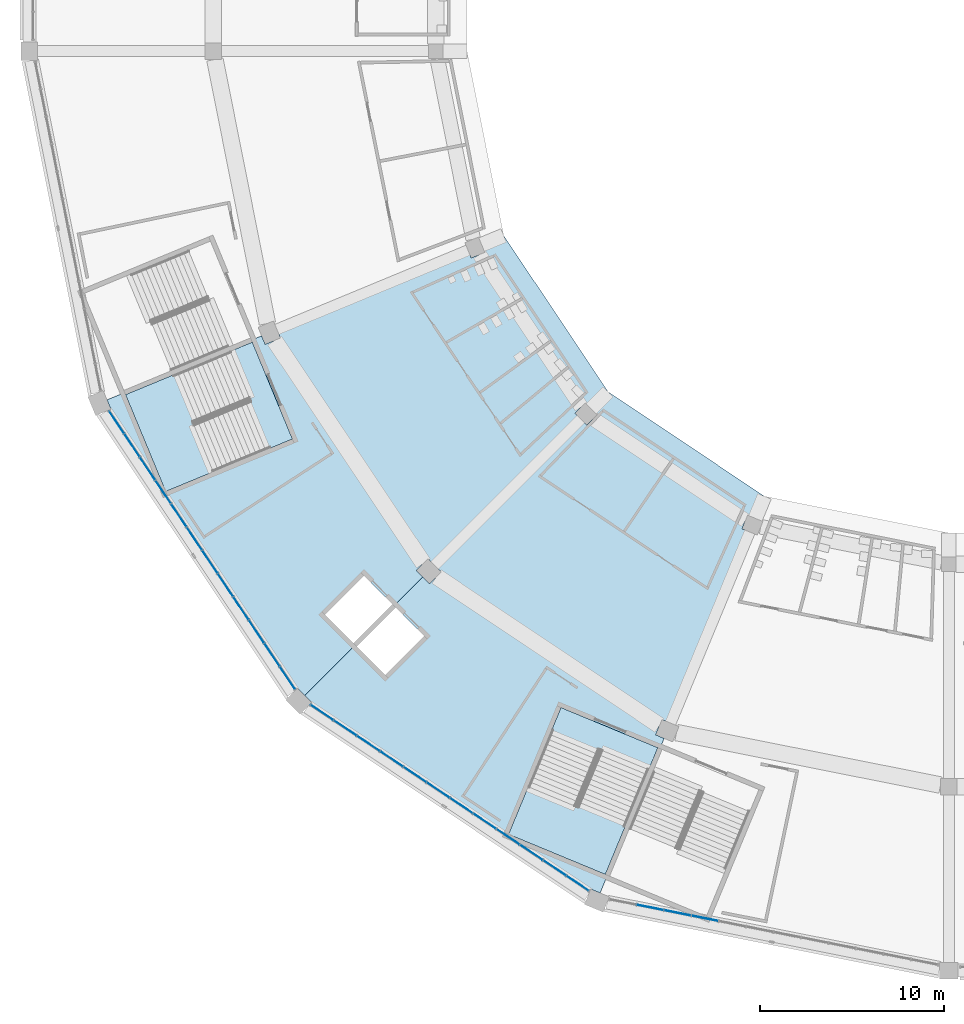
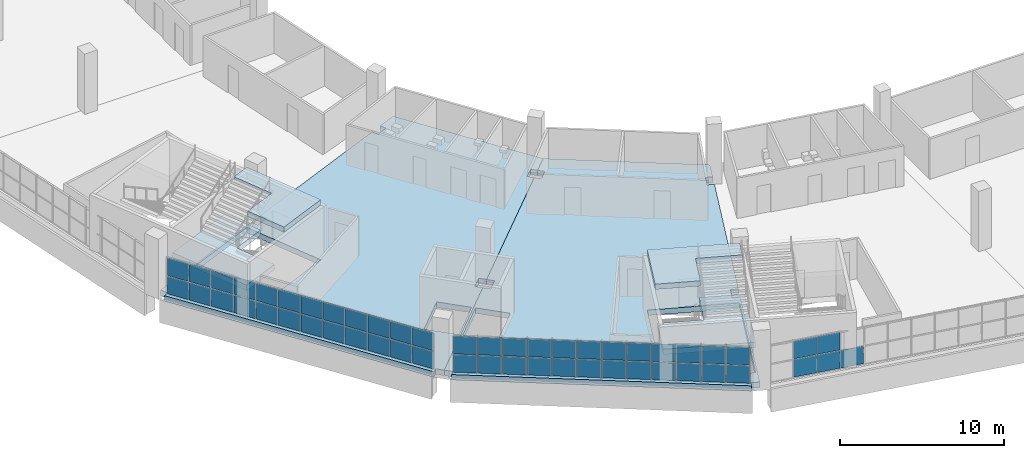
# One storey, part 56 of 199: 53 plates, 6 slabs, 5 elements without a shape of their own.
"""IFC4 building model written with IfcOpenShell, lengths in metres."""

from ifc_helpers import new_model, si_unit, direction, frame, origin, origin_2d, place, context, subcontext, project, spatial, polyline, rectangle, outline, extrude, material, layer, layer_set, type_object, element, aggregate, save


model = new_model("IFC4")

# Units and contexts
model_context = context("Model", 3, precision=1e-05, world=origin(), true_north=direction((0.0, 1.0)))
body_context = subcontext(model_context, "Body", "Model", "MODEL_VIEW")
ifc_project = project(units=[si_unit("LENGTHUNIT", "METRE"), si_unit("AREAUNIT", "SQUARE_METRE"), si_unit("VOLUMEUNIT", "CUBIC_METRE"), si_unit("PLANEANGLEUNIT", "RADIAN"), si_unit("MASSUNIT", "GRAM", prefix="KILO")], contexts=[model_context])

# Site, building, storey
site_placement = place(None, origin())
site = spatial("IfcSite", under=ifc_project, at=site_placement, CompositionType="ELEMENT")
building_placement = place(site_placement, origin())
building = spatial("IfcBuilding", under=site, at=building_placement, Name="Ogive Plaza Stadium", CompositionType="ELEMENT")
storey_placement = place(building_placement, frame((0.0, 0.0, 4.5)))
storey = spatial("IfcBuildingStorey", under=building, at=storey_placement, Name="L01", CompositionType="ELEMENT", Elevation=4.5)

# Curtain wall, plates
ifc_material_1 = material(Name="Bronze-anodised aluminium with laminated glass", Category="aluminium")
curtain_wall_type = type_object("IfcCurtainWallType", Name="Lancet curtain wall", PredefinedType="NOTDEFINED", material=ifc_material_1)
curtain_wall_1_placement = place(storey_placement, origin())
curtain_wall_1 = element("IfcCurtainWall", 1, at=curtain_wall_1_placement, inside=storey, type_object=curtain_wall_type, Name="CURTAIN WALL B17 L01", PredefinedType="NOTDEFINED")
ifc_material_2 = material(Name="Laminated glass", Category="glass")
ifc_layer_1 = layer(ifc_material_2, 0.028076171875)
ifc_layer_set_1 = layer_set([ifc_layer_1], Name="Laminated glass panel 28")
plate_type = type_object("IfcPlateType", Name="Laminated glass panel 28", PredefinedType="CURTAIN_PANEL", material=ifc_layer_set_1)
plate_1_placement = place(storey_placement, frame((-47.2607421875, -99.658447265625, 0.0498046875), z_axis=(0.0, 0.0, 1.0), x_axis=(-0.9807852804, 0.195090322033, 0.0)))
plate_1 = element("IfcPlate", 2, at=plate_1_placement, type_object=plate_type, Name="CW-B17-L01 panel 9.1", PredefinedType="CURTAIN_PANEL", context=body_context, shape_type="SweptSolid", body=[
    extrude(rectangle(XDim=1.472412109375, YDim=0.028076171875, at=origin_2d()), origin(), (0.0, 0.0, 1.0), 1.320068359375),
])
plate_2_placement = place(storey_placement, frame((-48.75390625, -99.361328125, 0.0498046875), z_axis=(0.0, 0.0, 1.0), x_axis=(-0.9807852804, 0.195090322033, 0.0)))
plate_2 = element("IfcPlate", 3, at=plate_2_placement, type_object=plate_type, Name="CW-B17-L01 panel 10.1", PredefinedType="CURTAIN_PANEL", context=body_context, shape_type="SweptSolid", body=[
    extrude(rectangle(XDim=1.472412109375, YDim=0.028076171875, at=origin_2d()), origin(), (0.0, 0.0, 1.0), 1.320068359375),
])
plate_3_placement = place(storey_placement, frame((-48.75390625, -99.361328125, 1.419921875), z_axis=(0.0, 0.0, 1.0), x_axis=(-0.9807852804, 0.195090322033, 0.0)))
plate_3 = element("IfcPlate", 4, at=plate_3_placement, type_object=plate_type, Name="CW-B17-L01 panel 10.2", PredefinedType="CURTAIN_PANEL", context=body_context, shape_type="SweptSolid", body=[
    extrude(rectangle(XDim=1.472412109375, YDim=0.028076171875, at=origin_2d()), origin(), (0.0, 0.0, 1.0), 1.320068359375),
])
plate_4_placement = place(storey_placement, frame((-50.2470703125, -99.064453125, 0.0498046875), z_axis=(0.0, 0.0, 1.0), x_axis=(-0.9807852804, 0.195090322033, 0.0)))
plate_4 = element("IfcPlate", 5, at=plate_4_placement, type_object=plate_type, Name="CW-B17-L01 panel 11.1", PredefinedType="CURTAIN_PANEL", context=body_context, shape_type="SweptSolid", body=[
    extrude(rectangle(XDim=1.472412109375, YDim=0.028076171875, at=origin_2d()), origin(), (0.0, 0.0, 1.0), 1.320068359375),
])
plate_5_placement = place(storey_placement, frame((-50.2470703125, -99.064453125, 1.419921875), z_axis=(0.0, 0.0, 1.0), x_axis=(-0.9807852804, 0.195090322033, 0.0)))
plate_5 = element("IfcPlate", 6, at=plate_5_placement, type_object=plate_type, Name="CW-B17-L01 panel 11.2", PredefinedType="CURTAIN_PANEL", context=body_context, shape_type="SweptSolid", body=[
    extrude(rectangle(XDim=1.472412109375, YDim=0.028076171875, at=origin_2d()), origin(), (0.0, 0.0, 1.0), 1.320068359375),
])
aggregate(curtain_wall_1, [plate_1, plate_2, plate_3, plate_4, plate_5])

curtain_wall_2_placement = place(storey_placement, origin())
curtain_wall_2 = element("IfcCurtainWall", 7, at=curtain_wall_2_placement, inside=storey, type_object=curtain_wall_type, Name="CURTAIN WALL B18 L01", PredefinedType="NOTDEFINED")
plate_6_placement = place(storey_placement, frame((-54.18212890625, -97.753173828125, 0.0498046875), z_axis=(0.0, 0.0, 1.0), x_axis=(-0.831469612303, 0.55557023302, 0.0)))
plate_6 = element("IfcPlate", 8, at=plate_6_placement, type_object=plate_type, Name="CW-B18-L01 panel 1.1", PredefinedType="CURTAIN_PANEL", context=body_context, shape_type="SweptSolid", body=[
    extrude(rectangle(XDim=1.447265625, YDim=0.028076171875, at=origin_2d()), origin(), (0.0, 0.0, 1.0), 1.320068359375),
])
plate_7_placement = place(storey_placement, frame((-54.18212890625, -97.753173828125, 1.419921875), z_axis=(0.0, 0.0, 1.0), x_axis=(-0.831469612303, 0.55557023302, 0.0)))
plate_7 = element("IfcPlate", 9, at=plate_7_placement, type_object=plate_type, Name="CW-B18-L01 panel 1.2", PredefinedType="CURTAIN_PANEL", context=body_context, shape_type="SweptSolid", body=[
    extrude(rectangle(XDim=1.447265625, YDim=0.028076171875, at=origin_2d()), origin(), (0.0, 0.0, 1.0), 1.320068359375),
])
plate_8_placement = place(storey_placement, frame((-55.4375, -96.914306640625, 0.0498046875), z_axis=(0.0, 0.0, 1.0), x_axis=(-0.831469612303, 0.55557023302, 0.0)))
plate_8 = element("IfcPlate", 10, at=plate_8_placement, type_object=plate_type, Name="CW-B18-L01 panel 2.1", PredefinedType="CURTAIN_PANEL", context=body_context, shape_type="SweptSolid", body=[
    extrude(rectangle(XDim=1.472412109375, YDim=0.028076171875, at=origin_2d()), origin(), (0.0, 0.0, 1.0), 1.320068359375),
])
plate_9_placement = place(storey_placement, frame((-55.4375, -96.914306640625, 1.419921875), z_axis=(0.0, 0.0, 1.0), x_axis=(-0.831469612303, 0.55557023302, 0.0)))
plate_9 = element("IfcPlate", 11, at=plate_9_placement, type_object=plate_type, Name="CW-B18-L01 panel 2.2", PredefinedType="CURTAIN_PANEL", context=body_context, shape_type="SweptSolid", body=[
    extrude(rectangle(XDim=1.472412109375, YDim=0.028076171875, at=origin_2d()), origin(), (0.0, 0.0, 1.0), 1.320068359375),
])
plate_10_placement = place(storey_placement, frame((-56.703369140625, -96.068603515625, 0.0498046875), z_axis=(0.0, 0.0, 1.0), x_axis=(-0.831469612303, 0.55557023302, 0.0)))
plate_10 = element("IfcPlate", 12, at=plate_10_placement, type_object=plate_type, Name="CW-B18-L01 panel 3.1", PredefinedType="CURTAIN_PANEL", context=body_context, shape_type="SweptSolid", body=[
    extrude(rectangle(XDim=1.472412109375, YDim=0.028076171875, at=origin_2d()), origin(), (0.0, 0.0, 1.0), 1.320068359375),
])
plate_11_placement = place(storey_placement, frame((-56.703369140625, -96.068603515625, 1.419921875), z_axis=(0.0, 0.0, 1.0), x_axis=(-0.831469612303, 0.55557023302, 0.0)))
plate_11 = element("IfcPlate", 13, at=plate_11_placement, type_object=plate_type, Name="CW-B18-L01 panel 3.2", PredefinedType="CURTAIN_PANEL", context=body_context, shape_type="SweptSolid", body=[
    extrude(rectangle(XDim=1.472412109375, YDim=0.028076171875, at=origin_2d()), origin(), (0.0, 0.0, 1.0), 1.320068359375),
])
plate_12_placement = place(storey_placement, frame((-57.96923828125, -95.222900390625, 0.0498046875), z_axis=(0.0, 0.0, 1.0), x_axis=(-0.831469612303, 0.55557023302, 0.0)))
plate_12 = element("IfcPlate", 14, at=plate_12_placement, type_object=plate_type, Name="CW-B18-L01 panel 4.1", PredefinedType="CURTAIN_PANEL", context=body_context, shape_type="SweptSolid", body=[
    extrude(rectangle(XDim=1.472412109375, YDim=0.028076171875, at=origin_2d()), origin(), (0.0, 0.0, 1.0), 1.320068359375),
])
plate_13_placement = place(storey_placement, frame((-57.96923828125, -95.222900390625, 1.419921875), z_axis=(0.0, 0.0, 1.0), x_axis=(-0.831469612303, 0.55557023302, 0.0)))
plate_13 = element("IfcPlate", 15, at=plate_13_placement, type_object=plate_type, Name="CW-B18-L01 panel 4.2", PredefinedType="CURTAIN_PANEL", context=body_context, shape_type="SweptSolid", body=[
    extrude(rectangle(XDim=1.472412109375, YDim=0.028076171875, at=origin_2d()), origin(), (0.0, 0.0, 1.0), 1.320068359375),
])
plate_14_placement = place(storey_placement, frame((-59.23486328125, -94.376953125, 0.0498046875), z_axis=(0.0, 0.0, 1.0), x_axis=(-0.831469612303, 0.55557023302, 0.0)))
plate_14 = element("IfcPlate", 16, at=plate_14_placement, type_object=plate_type, Name="CW-B18-L01 panel 5.1", PredefinedType="CURTAIN_PANEL", context=body_context, shape_type="SweptSolid", body=[
    extrude(rectangle(XDim=1.472412109375, YDim=0.028076171875, at=origin_2d()), origin(), (0.0, 0.0, 1.0), 1.320068359375),
])
plate_15_placement = place(storey_placement, frame((-59.23486328125, -94.376953125, 1.419921875), z_axis=(0.0, 0.0, 1.0), x_axis=(-0.831469612303, 0.55557023302, 0.0)))
plate_15 = element("IfcPlate", 17, at=plate_15_placement, type_object=plate_type, Name="CW-B18-L01 panel 5.2", PredefinedType="CURTAIN_PANEL", context=body_context, shape_type="SweptSolid", body=[
    extrude(rectangle(XDim=1.472412109375, YDim=0.028076171875, at=origin_2d()), origin(), (0.0, 0.0, 1.0), 1.320068359375),
])
plate_16_placement = place(storey_placement, frame((-60.500732421875, -93.53125, 0.0498046875), z_axis=(0.0, 0.0, 1.0), x_axis=(-0.831469612303, 0.55557023302, 0.0)))
plate_16 = element("IfcPlate", 18, at=plate_16_placement, type_object=plate_type, Name="CW-B18-L01 panel 6.1", PredefinedType="CURTAIN_PANEL", context=body_context, shape_type="SweptSolid", body=[
    extrude(rectangle(XDim=1.472412109375, YDim=0.028076171875, at=origin_2d()), origin(), (0.0, 0.0, 1.0), 1.320068359375),
])
plate_17_placement = place(storey_placement, frame((-60.500732421875, -93.53125, 1.419921875), z_axis=(0.0, 0.0, 1.0), x_axis=(-0.831469612303, 0.55557023302, 0.0)))
plate_17 = element("IfcPlate", 19, at=plate_17_placement, type_object=plate_type, Name="CW-B18-L01 panel 6.2", PredefinedType="CURTAIN_PANEL", context=body_context, shape_type="SweptSolid", body=[
    extrude(rectangle(XDim=1.472412109375, YDim=0.028076171875, at=origin_2d()), origin(), (0.0, 0.0, 1.0), 1.320068359375),
])
plate_18_placement = place(storey_placement, frame((-61.7666015625, -92.685546875, 0.0498046875), z_axis=(0.0, 0.0, 1.0), x_axis=(-0.831469612303, 0.55557023302, 0.0)))
plate_18 = element("IfcPlate", 20, at=plate_18_placement, type_object=plate_type, Name="CW-B18-L01 panel 7.1", PredefinedType="CURTAIN_PANEL", context=body_context, shape_type="SweptSolid", body=[
    extrude(rectangle(XDim=1.472412109375, YDim=0.028076171875, at=origin_2d()), origin(), (0.0, 0.0, 1.0), 1.320068359375),
])
plate_19_placement = place(storey_placement, frame((-61.7666015625, -92.685546875, 1.419921875), z_axis=(0.0, 0.0, 1.0), x_axis=(-0.831469612303, 0.55557023302, 0.0)))
plate_19 = element("IfcPlate", 21, at=plate_19_placement, type_object=plate_type, Name="CW-B18-L01 panel 7.2", PredefinedType="CURTAIN_PANEL", context=body_context, shape_type="SweptSolid", body=[
    extrude(rectangle(XDim=1.472412109375, YDim=0.028076171875, at=origin_2d()), origin(), (0.0, 0.0, 1.0), 1.320068359375),
])
plate_20_placement = place(storey_placement, frame((-63.0322265625, -91.839599609375, 0.0498046875), z_axis=(0.0, 0.0, 1.0), x_axis=(-0.831469612303, 0.55557023302, 0.0)))
plate_20 = element("IfcPlate", 22, at=plate_20_placement, type_object=plate_type, Name="CW-B18-L01 panel 8.1", PredefinedType="CURTAIN_PANEL", context=body_context, shape_type="SweptSolid", body=[
    extrude(rectangle(XDim=1.472412109375, YDim=0.028076171875, at=origin_2d()), origin(), (0.0, 0.0, 1.0), 1.320068359375),
])
plate_21_placement = place(storey_placement, frame((-63.0322265625, -91.839599609375, 1.419921875), z_axis=(0.0, 0.0, 1.0), x_axis=(-0.831469612303, 0.55557023302, 0.0)))
plate_21 = element("IfcPlate", 23, at=plate_21_placement, type_object=plate_type, Name="CW-B18-L01 panel 8.2", PredefinedType="CURTAIN_PANEL", context=body_context, shape_type="SweptSolid", body=[
    extrude(rectangle(XDim=1.472412109375, YDim=0.028076171875, at=origin_2d()), origin(), (0.0, 0.0, 1.0), 1.320068359375),
])
plate_22_placement = place(storey_placement, frame((-64.298095703125, -90.993896484375, 0.0498046875), z_axis=(0.0, 0.0, 1.0), x_axis=(-0.831469612303, 0.55557023302, 0.0)))
plate_22 = element("IfcPlate", 24, at=plate_22_placement, type_object=plate_type, Name="CW-B18-L01 panel 9.1", PredefinedType="CURTAIN_PANEL", context=body_context, shape_type="SweptSolid", body=[
    extrude(rectangle(XDim=1.472412109375, YDim=0.028076171875, at=origin_2d()), origin(), (0.0, 0.0, 1.0), 1.320068359375),
])
plate_23_placement = place(storey_placement, frame((-64.298095703125, -90.993896484375, 1.419921875), z_axis=(0.0, 0.0, 1.0), x_axis=(-0.831469612303, 0.55557023302, 0.0)))
plate_23 = element("IfcPlate", 25, at=plate_23_placement, type_object=plate_type, Name="CW-B18-L01 panel 9.2", PredefinedType="CURTAIN_PANEL", context=body_context, shape_type="SweptSolid", body=[
    extrude(rectangle(XDim=1.472412109375, YDim=0.028076171875, at=origin_2d()), origin(), (0.0, 0.0, 1.0), 1.320068359375),
])
plate_24_placement = place(storey_placement, frame((-65.56396484375, -90.148193359375, 0.0498046875), z_axis=(0.0, 0.0, 1.0), x_axis=(-0.831469612303, 0.55557023302, 0.0)))
plate_24 = element("IfcPlate", 26, at=plate_24_placement, type_object=plate_type, Name="CW-B18-L01 panel 10.1", PredefinedType="CURTAIN_PANEL", context=body_context, shape_type="SweptSolid", body=[
    extrude(rectangle(XDim=1.472412109375, YDim=0.028076171875, at=origin_2d()), origin(), (0.0, 0.0, 1.0), 1.320068359375),
])
plate_25_placement = place(storey_placement, frame((-65.56396484375, -90.148193359375, 1.419921875), z_axis=(0.0, 0.0, 1.0), x_axis=(-0.831469612303, 0.55557023302, 0.0)))
plate_25 = element("IfcPlate", 27, at=plate_25_placement, type_object=plate_type, Name="CW-B18-L01 panel 10.2", PredefinedType="CURTAIN_PANEL", context=body_context, shape_type="SweptSolid", body=[
    extrude(rectangle(XDim=1.472412109375, YDim=0.028076171875, at=origin_2d()), origin(), (0.0, 0.0, 1.0), 1.320068359375),
])
plate_26_placement = place(storey_placement, frame((-66.82958984375, -89.302490234375, 0.0498046875), z_axis=(0.0, 0.0, 1.0), x_axis=(-0.831469612303, 0.55557023302, 0.0)))
plate_26 = element("IfcPlate", 28, at=plate_26_placement, type_object=plate_type, Name="CW-B18-L01 panel 11.1", PredefinedType="CURTAIN_PANEL", context=body_context, shape_type="SweptSolid", body=[
    extrude(rectangle(XDim=1.472412109375, YDim=0.028076171875, at=origin_2d()), origin(), (0.0, 0.0, 1.0), 1.320068359375),
])
plate_27_placement = place(storey_placement, frame((-66.82958984375, -89.302490234375, 1.419921875), z_axis=(0.0, 0.0, 1.0), x_axis=(-0.831469612303, 0.55557023302, 0.0)))
plate_27 = element("IfcPlate", 29, at=plate_27_placement, type_object=plate_type, Name="CW-B18-L01 panel 11.2", PredefinedType="CURTAIN_PANEL", context=body_context, shape_type="SweptSolid", body=[
    extrude(rectangle(XDim=1.472412109375, YDim=0.028076171875, at=origin_2d()), origin(), (0.0, 0.0, 1.0), 1.320068359375),
])
plate_28_placement = place(storey_placement, frame((-68.0849609375, -88.463623046875, 0.0498046875), z_axis=(0.0, 0.0, 1.0), x_axis=(-0.831469612303, 0.55557023302, 0.0)))
plate_28 = element("IfcPlate", 30, at=plate_28_placement, type_object=plate_type, Name="CW-B18-L01 panel 12.1", PredefinedType="CURTAIN_PANEL", context=body_context, shape_type="SweptSolid", body=[
    extrude(rectangle(XDim=1.447265625, YDim=0.028076171875, at=origin_2d()), origin(), (0.0, 0.0, 1.0), 1.320068359375),
])
plate_29_placement = place(storey_placement, frame((-68.0849609375, -88.463623046875, 1.419921875), z_axis=(0.0, 0.0, 1.0), x_axis=(-0.831469612303, 0.55557023302, 0.0)))
plate_29 = element("IfcPlate", 31, at=plate_29_placement, type_object=plate_type, Name="CW-B18-L01 panel 12.2", PredefinedType="CURTAIN_PANEL", context=body_context, shape_type="SweptSolid", body=[
    extrude(rectangle(XDim=1.447265625, YDim=0.028076171875, at=origin_2d()), origin(), (0.0, 0.0, 1.0), 1.320068359375),
])
aggregate(curtain_wall_2, [plate_6, plate_7, plate_8, plate_9, plate_10, plate_11, plate_12, plate_13, plate_14, plate_15, plate_16, plate_17, plate_18, plate_19, plate_20, plate_21, plate_22, plate_23, plate_24, plate_25, plate_26, plate_27, plate_28, plate_29])

curtain_wall_3_placement = place(storey_placement, origin())
curtain_wall_3 = element("IfcCurtainWall", 32, at=curtain_wall_3_placement, inside=storey, type_object=curtain_wall_type, Name="CURTAIN WALL B19 L01", PredefinedType="NOTDEFINED")
plate_30_placement = place(storey_placement, frame((-69.963623046875, -86.5849609375, 0.0498046875), z_axis=(0.0, 0.0, 1.0), x_axis=(-0.55557023302, 0.831469612303, 0.0)))
plate_30 = element("IfcPlate", 33, at=plate_30_placement, type_object=plate_type, Name="CW-B19-L01 panel 1.1", PredefinedType="CURTAIN_PANEL", context=body_context, shape_type="SweptSolid", body=[
    extrude(rectangle(XDim=1.447265625, YDim=0.028076171875, at=origin_2d()), origin(), (0.0, 0.0, 1.0), 1.320068359375),
])
plate_31_placement = place(storey_placement, frame((-69.963623046875, -86.5849609375, 1.419921875), z_axis=(0.0, 0.0, 1.0), x_axis=(-0.55557023302, 0.831469612303, 0.0)))
plate_31 = element("IfcPlate", 34, at=plate_31_placement, type_object=plate_type, Name="CW-B19-L01 panel 1.2", PredefinedType="CURTAIN_PANEL", context=body_context, shape_type="SweptSolid", body=[
    extrude(rectangle(XDim=1.447265625, YDim=0.028076171875, at=origin_2d()), origin(), (0.0, 0.0, 1.0), 1.320068359375),
])
plate_32_placement = place(storey_placement, frame((-70.802490234375, -85.32958984375, 0.0498046875), z_axis=(0.0, 0.0, 1.0), x_axis=(-0.55557023302, 0.831469612303, 0.0)))
plate_32 = element("IfcPlate", 35, at=plate_32_placement, type_object=plate_type, Name="CW-B19-L01 panel 2.1", PredefinedType="CURTAIN_PANEL", context=body_context, shape_type="SweptSolid", body=[
    extrude(rectangle(XDim=1.472412109375, YDim=0.028076171875, at=origin_2d()), origin(), (0.0, 0.0, 1.0), 1.320068359375),
])
plate_33_placement = place(storey_placement, frame((-70.802490234375, -85.32958984375, 1.419921875), z_axis=(0.0, 0.0, 1.0), x_axis=(-0.55557023302, 0.831469612303, 0.0)))
plate_33 = element("IfcPlate", 36, at=plate_33_placement, type_object=plate_type, Name="CW-B19-L01 panel 2.2", PredefinedType="CURTAIN_PANEL", context=body_context, shape_type="SweptSolid", body=[
    extrude(rectangle(XDim=1.472412109375, YDim=0.028076171875, at=origin_2d()), origin(), (0.0, 0.0, 1.0), 1.320068359375),
])
plate_34_placement = place(storey_placement, frame((-71.648193359375, -84.06396484375, 0.0498046875), z_axis=(0.0, 0.0, 1.0), x_axis=(-0.55557023302, 0.831469612303, 0.0)))
plate_34 = element("IfcPlate", 37, at=plate_34_placement, type_object=plate_type, Name="CW-B19-L01 panel 3.1", PredefinedType="CURTAIN_PANEL", context=body_context, shape_type="SweptSolid", body=[
    extrude(rectangle(XDim=1.472412109375, YDim=0.028076171875, at=origin_2d()), origin(), (0.0, 0.0, 1.0), 1.320068359375),
])
plate_35_placement = place(storey_placement, frame((-71.648193359375, -84.06396484375, 1.419921875), z_axis=(0.0, 0.0, 1.0), x_axis=(-0.55557023302, 0.831469612303, 0.0)))
plate_35 = element("IfcPlate", 38, at=plate_35_placement, type_object=plate_type, Name="CW-B19-L01 panel 3.2", PredefinedType="CURTAIN_PANEL", context=body_context, shape_type="SweptSolid", body=[
    extrude(rectangle(XDim=1.472412109375, YDim=0.028076171875, at=origin_2d()), origin(), (0.0, 0.0, 1.0), 1.320068359375),
])
plate_36_placement = place(storey_placement, frame((-72.493896484375, -82.798095703125, 0.0498046875), z_axis=(0.0, 0.0, 1.0), x_axis=(-0.55557023302, 0.831469612303, 0.0)))
plate_36 = element("IfcPlate", 39, at=plate_36_placement, type_object=plate_type, Name="CW-B19-L01 panel 4.1", PredefinedType="CURTAIN_PANEL", context=body_context, shape_type="SweptSolid", body=[
    extrude(rectangle(XDim=1.472412109375, YDim=0.028076171875, at=origin_2d()), origin(), (0.0, 0.0, 1.0), 1.320068359375),
])
plate_37_placement = place(storey_placement, frame((-72.493896484375, -82.798095703125, 1.419921875), z_axis=(0.0, 0.0, 1.0), x_axis=(-0.55557023302, 0.831469612303, 0.0)))
plate_37 = element("IfcPlate", 40, at=plate_37_placement, type_object=plate_type, Name="CW-B19-L01 panel 4.2", PredefinedType="CURTAIN_PANEL", context=body_context, shape_type="SweptSolid", body=[
    extrude(rectangle(XDim=1.472412109375, YDim=0.028076171875, at=origin_2d()), origin(), (0.0, 0.0, 1.0), 1.320068359375),
])
plate_38_placement = place(storey_placement, frame((-73.339599609375, -81.5322265625, 0.0498046875), z_axis=(0.0, 0.0, 1.0), x_axis=(-0.55557023302, 0.831469612303, 0.0)))
plate_38 = element("IfcPlate", 41, at=plate_38_placement, type_object=plate_type, Name="CW-B19-L01 panel 5.1", PredefinedType="CURTAIN_PANEL", context=body_context, shape_type="SweptSolid", body=[
    extrude(rectangle(XDim=1.472412109375, YDim=0.028076171875, at=origin_2d()), origin(), (0.0, 0.0, 1.0), 1.320068359375),
])
plate_39_placement = place(storey_placement, frame((-73.339599609375, -81.5322265625, 1.419921875), z_axis=(0.0, 0.0, 1.0), x_axis=(-0.55557023302, 0.831469612303, 0.0)))
plate_39 = element("IfcPlate", 42, at=plate_39_placement, type_object=plate_type, Name="CW-B19-L01 panel 5.2", PredefinedType="CURTAIN_PANEL", context=body_context, shape_type="SweptSolid", body=[
    extrude(rectangle(XDim=1.472412109375, YDim=0.028076171875, at=origin_2d()), origin(), (0.0, 0.0, 1.0), 1.320068359375),
])
plate_40_placement = place(storey_placement, frame((-74.185546875, -80.2666015625, 0.0498046875), z_axis=(0.0, 0.0, 1.0), x_axis=(-0.55557023302, 0.831469612303, 0.0)))
plate_40 = element("IfcPlate", 43, at=plate_40_placement, type_object=plate_type, Name="CW-B19-L01 panel 6.1", PredefinedType="CURTAIN_PANEL", context=body_context, shape_type="SweptSolid", body=[
    extrude(rectangle(XDim=1.472412109375, YDim=0.028076171875, at=origin_2d()), origin(), (0.0, 0.0, 1.0), 1.320068359375),
])
plate_41_placement = place(storey_placement, frame((-74.185546875, -80.2666015625, 1.419921875), z_axis=(0.0, 0.0, 1.0), x_axis=(-0.55557023302, 0.831469612303, 0.0)))
plate_41 = element("IfcPlate", 44, at=plate_41_placement, type_object=plate_type, Name="CW-B19-L01 panel 6.2", PredefinedType="CURTAIN_PANEL", context=body_context, shape_type="SweptSolid", body=[
    extrude(rectangle(XDim=1.472412109375, YDim=0.028076171875, at=origin_2d()), origin(), (0.0, 0.0, 1.0), 1.320068359375),
])
plate_42_placement = place(storey_placement, frame((-75.03125, -79.000732421875, 0.0498046875), z_axis=(0.0, 0.0, 1.0), x_axis=(-0.55557023302, 0.831469612303, 0.0)))
plate_42 = element("IfcPlate", 45, at=plate_42_placement, type_object=plate_type, Name="CW-B19-L01 panel 7.1", PredefinedType="CURTAIN_PANEL", context=body_context, shape_type="SweptSolid", body=[
    extrude(rectangle(XDim=1.472412109375, YDim=0.028076171875, at=origin_2d()), origin(), (0.0, 0.0, 1.0), 1.320068359375),
])
plate_43_placement = place(storey_placement, frame((-75.03125, -79.000732421875, 1.419921875), z_axis=(0.0, 0.0, 1.0), x_axis=(-0.55557023302, 0.831469612303, 0.0)))
plate_43 = element("IfcPlate", 46, at=plate_43_placement, type_object=plate_type, Name="CW-B19-L01 panel 7.2", PredefinedType="CURTAIN_PANEL", context=body_context, shape_type="SweptSolid", body=[
    extrude(rectangle(XDim=1.472412109375, YDim=0.028076171875, at=origin_2d()), origin(), (0.0, 0.0, 1.0), 1.320068359375),
])
plate_44_placement = place(storey_placement, frame((-75.876953125, -77.73486328125, 0.0498046875), z_axis=(0.0, 0.0, 1.0), x_axis=(-0.55557023302, 0.831469612303, 0.0)))
plate_44 = element("IfcPlate", 47, at=plate_44_placement, type_object=plate_type, Name="CW-B19-L01 panel 8.1", PredefinedType="CURTAIN_PANEL", context=body_context, shape_type="SweptSolid", body=[
    extrude(rectangle(XDim=1.472412109375, YDim=0.028076171875, at=origin_2d()), origin(), (0.0, 0.0, 1.0), 1.320068359375),
])
plate_45_placement = place(storey_placement, frame((-75.876953125, -77.73486328125, 1.419921875), z_axis=(0.0, 0.0, 1.0), x_axis=(-0.55557023302, 0.831469612303, 0.0)))
plate_45 = element("IfcPlate", 48, at=plate_45_placement, type_object=plate_type, Name="CW-B19-L01 panel 8.2", PredefinedType="CURTAIN_PANEL", context=body_context, shape_type="SweptSolid", body=[
    extrude(rectangle(XDim=1.472412109375, YDim=0.028076171875, at=origin_2d()), origin(), (0.0, 0.0, 1.0), 1.320068359375),
])
plate_46_placement = place(storey_placement, frame((-76.722900390625, -76.46923828125, 0.0498046875), z_axis=(0.0, 0.0, 1.0), x_axis=(-0.55557023302, 0.831469612303, 0.0)))
plate_46 = element("IfcPlate", 49, at=plate_46_placement, type_object=plate_type, Name="CW-B19-L01 panel 9.1", PredefinedType="CURTAIN_PANEL", context=body_context, shape_type="SweptSolid", body=[
    extrude(rectangle(XDim=1.472412109375, YDim=0.028076171875, at=origin_2d()), origin(), (0.0, 0.0, 1.0), 1.320068359375),
])
plate_47_placement = place(storey_placement, frame((-76.722900390625, -76.46923828125, 1.419921875), z_axis=(0.0, 0.0, 1.0), x_axis=(-0.55557023302, 0.831469612303, 0.0)))
plate_47 = element("IfcPlate", 50, at=plate_47_placement, type_object=plate_type, Name="CW-B19-L01 panel 9.2", PredefinedType="CURTAIN_PANEL", context=body_context, shape_type="SweptSolid", body=[
    extrude(rectangle(XDim=1.472412109375, YDim=0.028076171875, at=origin_2d()), origin(), (0.0, 0.0, 1.0), 1.320068359375),
])
plate_48_placement = place(storey_placement, frame((-77.568603515625, -75.203369140625, 0.0498046875), z_axis=(0.0, 0.0, 1.0), x_axis=(-0.55557023302, 0.831469612303, 0.0)))
plate_48 = element("IfcPlate", 51, at=plate_48_placement, type_object=plate_type, Name="CW-B19-L01 panel 10.1", PredefinedType="CURTAIN_PANEL", context=body_context, shape_type="SweptSolid", body=[
    extrude(rectangle(XDim=1.472412109375, YDim=0.028076171875, at=origin_2d()), origin(), (0.0, 0.0, 1.0), 1.320068359375),
])
plate_49_placement = place(storey_placement, frame((-77.568603515625, -75.203369140625, 1.419921875), z_axis=(0.0, 0.0, 1.0), x_axis=(-0.55557023302, 0.831469612303, 0.0)))
plate_49 = element("IfcPlate", 52, at=plate_49_placement, type_object=plate_type, Name="CW-B19-L01 panel 10.2", PredefinedType="CURTAIN_PANEL", context=body_context, shape_type="SweptSolid", body=[
    extrude(rectangle(XDim=1.472412109375, YDim=0.028076171875, at=origin_2d()), origin(), (0.0, 0.0, 1.0), 1.320068359375),
])
plate_50_placement = place(storey_placement, frame((-78.414306640625, -73.9375, 0.0498046875), z_axis=(0.0, 0.0, 1.0), x_axis=(-0.55557023302, 0.831469612303, 0.0)))
plate_50 = element("IfcPlate", 53, at=plate_50_placement, type_object=plate_type, Name="CW-B19-L01 panel 11.1", PredefinedType="CURTAIN_PANEL", context=body_context, shape_type="SweptSolid", body=[
    extrude(rectangle(XDim=1.472412109375, YDim=0.028076171875, at=origin_2d()), origin(), (0.0, 0.0, 1.0), 1.320068359375),
])
plate_51_placement = place(storey_placement, frame((-78.414306640625, -73.9375, 1.419921875), z_axis=(0.0, 0.0, 1.0), x_axis=(-0.55557023302, 0.831469612303, 0.0)))
plate_51 = element("IfcPlate", 54, at=plate_51_placement, type_object=plate_type, Name="CW-B19-L01 panel 11.2", PredefinedType="CURTAIN_PANEL", context=body_context, shape_type="SweptSolid", body=[
    extrude(rectangle(XDim=1.472412109375, YDim=0.028076171875, at=origin_2d()), origin(), (0.0, 0.0, 1.0), 1.320068359375),
])
plate_52_placement = place(storey_placement, frame((-79.253173828125, -72.68212890625, 0.0498046875), z_axis=(0.0, 0.0, 1.0), x_axis=(-0.55557023302, 0.831469612303, 0.0)))
plate_52 = element("IfcPlate", 55, at=plate_52_placement, type_object=plate_type, Name="CW-B19-L01 panel 12.1", PredefinedType="CURTAIN_PANEL", context=body_context, shape_type="SweptSolid", body=[
    extrude(rectangle(XDim=1.447265625, YDim=0.028076171875, at=origin_2d()), origin(), (0.0, 0.0, 1.0), 1.320068359375),
])
plate_53_placement = place(storey_placement, frame((-79.253173828125, -72.68212890625, 1.419921875), z_axis=(0.0, 0.0, 1.0), x_axis=(-0.55557023302, 0.831469612303, 0.0)))
plate_53 = element("IfcPlate", 56, at=plate_53_placement, type_object=plate_type, Name="CW-B19-L01 panel 12.2", PredefinedType="CURTAIN_PANEL", context=body_context, shape_type="SweptSolid", body=[
    extrude(rectangle(XDim=1.447265625, YDim=0.028076171875, at=origin_2d()), origin(), (0.0, 0.0, 1.0), 1.320068359375),
])
aggregate(curtain_wall_3, [plate_30, plate_31, plate_32, plate_33, plate_34, plate_35, plate_36, plate_37, plate_38, plate_39, plate_40, plate_41, plate_42, plate_43, plate_44, plate_45, plate_46, plate_47, plate_48, plate_49, plate_50, plate_51, plate_52, plate_53])

# Slabs
ifc_material_3 = material(Name="Concrete C40/50", Category="concrete")
ifc_layer_2 = layer(ifc_material_3, 0.409912109375)
ifc_layer_set_2 = layer_set([ifc_layer_2], Name="Concrete C40/50")
slab_type_1 = type_object("IfcSlabType", Name="RC floor slab 410", PredefinedType="FLOOR", material=ifc_layer_set_2)
slab_1_placement = place(storey_placement, frame((0.0, 0.0, -0.409912109375)))
element("IfcSlab", 57, at=slab_1_placement, inside=storey, type_object=slab_type_1, Name="Floor slab L01 B18", PredefinedType="FLOOR", context=body_context, shape_type="SweptSolid", body=[
    extrude(outline(polyline([(-53.445556640625, -71.945556640625), (-53.127197265625, -72.263671875), (-53.69287109375, -72.829345703125), (-54.01123046875, -72.51123046875), (-61.966064453125, -80.466064453125), (-61.612548828125, -80.819580078125), (-62.2490234375, -81.4560546875), (-62.6025390625, -81.1025390625), (-69.037109375, -87.537109375), (-68.648193359375, -87.926025390625), (-68.88916015625, -88.1669921875), (-53.600341796875, -98.38232421875), (-53.47021484375, -98.06787109375), (-52.9619140625, -98.2783203125), (-49.4794921875, -89.870849609375), (-49.94140625, -89.6796875), (-49.59716796875, -88.84814453125), (-49.135009765625, -89.03955078125), (-44.829833984375, -78.645751953125), (-45.24560546875, -78.4736328125), (-44.939453125, -77.734375), (-44.523681640625, -77.90673828125), (-44.0263671875, -76.70556640625), (-52.526123046875, -71.026123046875), (-53.445556640625, -71.945556640625)]), holes=[polyline([(-55.0908203125, -88.196044921875), (-57.945556640625, -95.08837890625), (-52.679443359375, -97.26953125), (-49.82470703125, -90.37744140625), (-55.0908203125, -88.196044921875)]), polyline([(-62.51416015625, -84.30224609375), (-64.06982421875, -82.74658203125), (-66.19091796875, -84.867919921875), (-64.635498046875, -86.42333984375), (-62.51416015625, -84.30224609375)])]), origin(), (0.0, 0.0, 1.0), 0.409912109375),
])
slab_2_placement = place(storey_placement, frame((0.0, 0.0, -0.409912109375)))
element("IfcSlab", 58, at=slab_2_placement, inside=storey, type_object=slab_type_1, Name="Floor slab L01 B19", PredefinedType="FLOOR", context=body_context, shape_type="SweptSolid", body=[
    extrude(outline(polyline([(-59.40673828125, -63.023681640625), (-59.234375, -63.439453125), (-59.9736328125, -63.74560546875), (-60.145751953125, -63.329833984375), (-70.53955078125, -67.635009765625), (-70.34814453125, -68.09716796875), (-71.1796875, -68.44140625), (-71.370849609375, -67.9794921875), (-79.7783203125, -71.4619140625), (-79.56787109375, -71.97021484375), (-79.88232421875, -72.100341796875), (-69.6669921875, -87.38916015625), (-69.426025390625, -87.148193359375), (-69.037109375, -87.537109375), (-62.6025390625, -81.1025390625), (-62.9560546875, -80.7490234375), (-62.319580078125, -80.112548828125), (-61.966064453125, -80.466064453125), (-54.01123046875, -72.51123046875), (-54.329345703125, -72.19287109375), (-53.763671875, -71.627197265625), (-53.445556640625, -71.945556640625), (-52.526123046875, -71.026123046875), (-58.20556640625, -62.5263671875), (-59.40673828125, -63.023681640625)]), holes=[polyline([(-64.24658203125, -82.56982421875), (-65.80224609375, -81.01416015625), (-67.92333984375, -83.135498046875), (-66.367919921875, -84.69091796875), (-64.24658203125, -82.56982421875)]), polyline([(-69.696044921875, -73.5908203125), (-71.87744140625, -68.32470703125), (-78.76953125, -71.179443359375), (-76.58837890625, -76.445556640625), (-69.696044921875, -73.5908203125)])]), origin(), (0.0, 0.0, 1.0), 0.409912109375),
])

# Stair, slabs
ifc_material_4 = material(Name="Concrete C40/50", Category="concrete")
stair_type = type_object("IfcStairType", Name="Exit stair", PredefinedType="STRAIGHT_RUN_STAIR", material=ifc_material_4)
stair_1_placement = place(storey_placement, origin())
stair_1 = element("IfcStair", 59, at=stair_1_placement, inside=storey, type_object=stair_type, Name="Exit stair ST18A L01 to L02", PredefinedType="STRAIGHT_RUN_STAIR")
ifc_material_5 = material(Name="Concrete C40/50", Category="concrete")
ifc_layer_3 = layer(ifc_material_5, 0.39990234375)
ifc_layer_set_3 = layer_set([ifc_layer_3], Name="Concrete C40/50")
slab_type_2 = type_object("IfcSlabType", Name="Stair landing", PredefinedType="LANDING", material=ifc_layer_set_3)
slab_3_placement = place(storey_placement, frame((0.0, 0.0, 1.85009765625)))
slab_3 = element("IfcSlab", 60, at=slab_3_placement, type_object=slab_type_2, Name="ST18A landing 1", PredefinedType="LANDING", context=body_context, shape_type="SweptSolid", body=[
    extrude(outline(polyline([(-52.679443359375, -97.26953125), (-57.945556640625, -95.08837890625), (-56.8740234375, -92.50146484375), (-54.19482421875, -93.611083984375), (-53.2763671875, -91.393798828125), (-50.689453125, -92.46533203125), (-51.60791015625, -94.6826171875), (-52.679443359375, -97.26953125)])), origin(), (0.0, 0.0, 1.0), 0.39990234375),
])
slab_4_placement = place(storey_placement, frame((0.0, 0.0, 4.10009765625)))
slab_4 = element("IfcSlab", 61, at=slab_4_placement, type_object=slab_type_2, Name="ST18A landing 2", PredefinedType="LANDING", context=body_context, shape_type="SweptSolid", body=[
    extrude(outline(polyline([(-53.919921875, -92.68603515625), (-56.506591796875, -91.614501953125), (-55.588134765625, -89.397216796875), (-55.0908203125, -88.196044921875), (-49.82470703125, -90.37744140625), (-50.322021484375, -91.578369140625), (-53.00146484375, -90.46875), (-53.919921875, -92.68603515625)])), origin(), (0.0, 0.0, 1.0), 0.39990234375),
])
aggregate(stair_1, [slab_3, slab_4])

stair_2_placement = place(storey_placement, origin())
stair_2 = element("IfcStair", 62, at=stair_2_placement, inside=storey, type_object=stair_type, Name="Exit stair ST20B L01 to L02", PredefinedType="STRAIGHT_RUN_STAIR")
slab_5_placement = place(storey_placement, frame((0.0, 0.0, 1.85009765625)))
slab_5 = element("IfcSlab", 63, at=slab_5_placement, type_object=slab_type_2, Name="ST20B landing 1", PredefinedType="LANDING", context=body_context, shape_type="SweptSolid", body=[
    extrude(outline(polyline([(-73.96533203125, -69.189453125), (-72.893798828125, -71.7763671875), (-75.111083984375, -72.69482421875), (-74.00146484375, -75.3740234375), (-76.58837890625, -76.445556640625), (-78.76953125, -71.179443359375), (-76.1826171875, -70.10791015625), (-73.96533203125, -69.189453125)])), origin(), (0.0, 0.0, 1.0), 0.39990234375),
])
slab_6_placement = place(storey_placement, frame((0.0, 0.0, 4.10009765625)))
slab_6 = element("IfcSlab", 64, at=slab_6_placement, type_object=slab_type_2, Name="ST20B landing 2", PredefinedType="LANDING", context=body_context, shape_type="SweptSolid", body=[
    extrude(outline(polyline([(-73.078369140625, -68.822021484375), (-71.87744140625, -68.32470703125), (-69.696044921875, -73.5908203125), (-70.897216796875, -74.088134765625), (-73.114501953125, -75.006591796875), (-74.18603515625, -72.419921875), (-71.96875, -71.50146484375), (-73.078369140625, -68.822021484375)])), origin(), (0.0, 0.0, 1.0), 0.39990234375),
])
aggregate(stair_2, [slab_5, slab_6])

save(model, "model.ifc")
